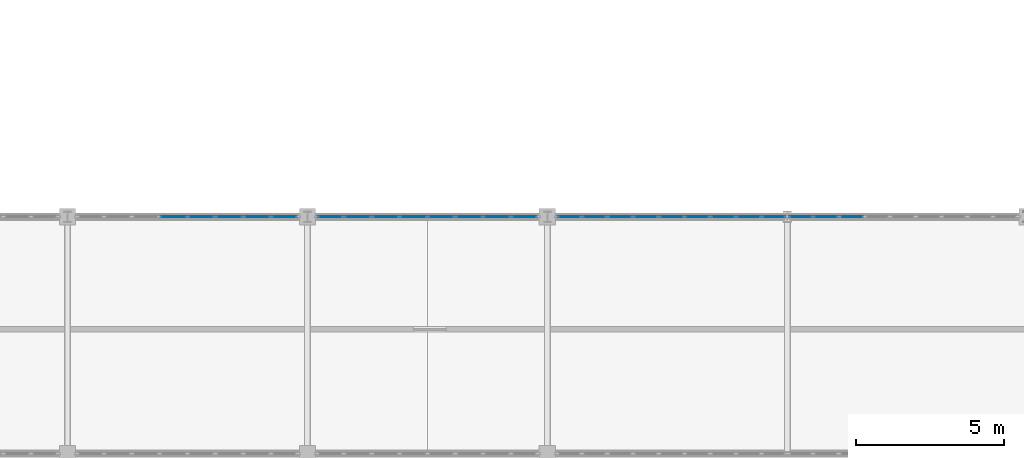
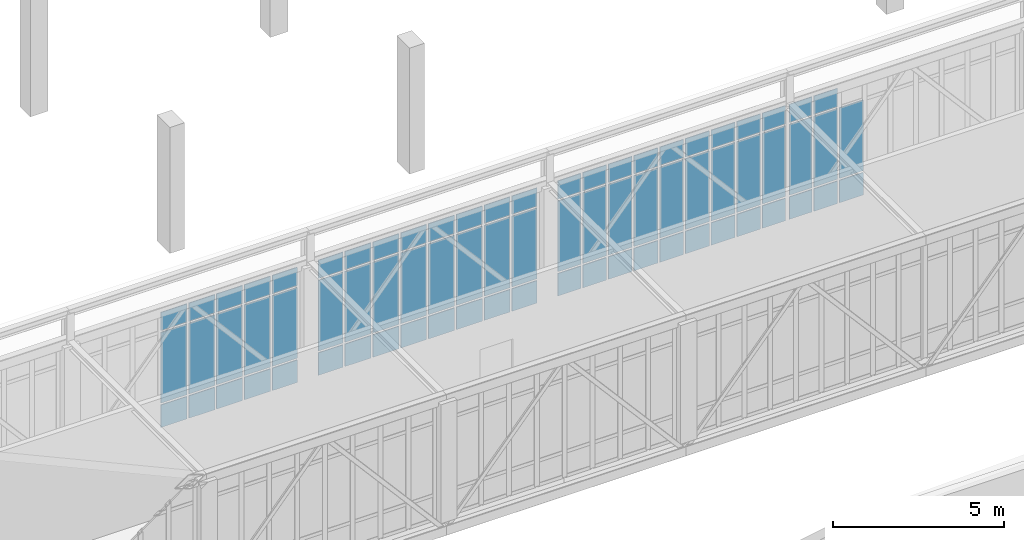
# One storey, part 42 of 67: 74 plates, 4 elements without a shape of their own.
"""IFC4 building model written with IfcOpenShell, lengths in metres."""

from ifc_helpers import new_model, si_unit, direction, frame, origin, origin_2d, place, context, subcontext, project, spatial, rectangle, extrude, material, layer, layer_set, type_object, element, aggregate, save


model = new_model("IFC4")

# Units and contexts
model_context = context("Model", 3, precision=1e-05, world=origin(), true_north=direction((0.0, 1.0)))
body_context = subcontext(model_context, "Body", "Model", "MODEL_VIEW")
ifc_project = project(units=[si_unit("LENGTHUNIT", "METRE"), si_unit("AREAUNIT", "SQUARE_METRE"), si_unit("VOLUMEUNIT", "CUBIC_METRE"), si_unit("PLANEANGLEUNIT", "RADIAN"), si_unit("MASSUNIT", "GRAM", prefix="KILO")], contexts=[model_context])

# Site, building, storey
site_placement = place(None, origin())
site = spatial("IfcSite", under=ifc_project, at=site_placement, CompositionType="ELEMENT")
building_placement = place(site_placement, origin())
building = spatial("IfcBuilding", under=site, at=building_placement, Name="Tarnveldt Square Police Headquarters", CompositionType="ELEMENT")
storey_placement = place(building_placement, frame((0.0, 0.0, 10.199951171875)))
storey = spatial("IfcBuildingStorey", under=building, at=storey_placement, Name="L02", CompositionType="ELEMENT", Elevation=10.199951171875)

# Curtain wall, plates
ifc_material = material(Name="Triple-glazed low-e laminated vision glass", Category="glass")
curtain_wall_type_1 = type_object("IfcCurtainWallType", Name="CW-SB-752x424", PredefinedType="USERDEFINED", material=ifc_material)
curtain_wall_1_placement = place(storey_placement, origin())
curtain_wall_1 = element("IfcCurtainWall", 1, at=curtain_wall_1_placement, inside=storey, type_object=curtain_wall_type_1, Name="L02 Curtain Wall CW-L02-147", ObjectType="GLAZED CURTAIN WALL", PredefinedType="USERDEFINED")
ifc_layer = layer(ifc_material, 0.028076171875)
ifc_layer_set = layer_set([ifc_layer], Name="Triple-glazed low-e laminated vision glass")
plate_type = type_object("IfcPlateType", Name="CWP-VIS-28", PredefinedType="CURTAIN_PANEL", material=ifc_layer_set)
plate_1_placement = place(storey_placement, frame((68.3798828125, 64.0, 0.06494140625), z_axis=(0.0, 0.0, 1.0), x_axis=(1.0, 0.0, 0.0)))
plate_1 = element("IfcPlate", 2, at=plate_1_placement, type_object=plate_type, Name="CW-SB86 panel 4.1", PredefinedType="CURTAIN_PANEL", context=body_context, shape_type="SweptSolid", body=[
    extrude(rectangle(XDim=0.875, YDim=0.028076171875, at=origin_2d()), origin(), (0.0, 0.0, 1.0), 0.802490234375),
])
plate_2_placement = place(storey_placement, frame((68.3798828125, 64.0, 0.9326171875), z_axis=(0.0, 0.0, 1.0), x_axis=(1.0, 0.0, 0.0)))
plate_2 = element("IfcPlate", 3, at=plate_2_placement, type_object=plate_type, Name="CW-SB86 panel 4.2", PredefinedType="CURTAIN_PANEL", context=body_context, shape_type="SweptSolid", body=[
    extrude(rectangle(XDim=0.875, YDim=0.028076171875, at=origin_2d()), origin(), (0.0, 0.0, 1.0), 2.52490234375),
])
plate_3_placement = place(storey_placement, frame((68.3798828125, 64.0, 3.5224609375), z_axis=(0.0, 0.0, 1.0), x_axis=(1.0, 0.0, 0.0)))
plate_3 = element("IfcPlate", 4, at=plate_3_placement, type_object=plate_type, Name="CW-SB86 panel 4.3", PredefinedType="CURTAIN_PANEL", context=body_context, shape_type="SweptSolid", body=[
    extrude(rectangle(XDim=0.875, YDim=0.028076171875, at=origin_2d()), origin(), (0.0, 0.0, 1.0), 0.652587890625),
])
plate_4_placement = place(storey_placement, frame((69.320068359375, 64.0, 0.06494140625), z_axis=(0.0, 0.0, 1.0), x_axis=(1.0, 0.0, 0.0)))
plate_4 = element("IfcPlate", 5, at=plate_4_placement, type_object=plate_type, Name="CW-SB86 panel 5.1", PredefinedType="CURTAIN_PANEL", context=body_context, shape_type="SweptSolid", body=[
    extrude(rectangle(XDim=0.875, YDim=0.028076171875, at=origin_2d()), origin(), (0.0, 0.0, 1.0), 0.802490234375),
])
plate_5_placement = place(storey_placement, frame((69.320068359375, 64.0, 0.9326171875), z_axis=(0.0, 0.0, 1.0), x_axis=(1.0, 0.0, 0.0)))
plate_5 = element("IfcPlate", 6, at=plate_5_placement, type_object=plate_type, Name="CW-SB86 panel 5.2", PredefinedType="CURTAIN_PANEL", context=body_context, shape_type="SweptSolid", body=[
    extrude(rectangle(XDim=0.875, YDim=0.028076171875, at=origin_2d()), origin(), (0.0, 0.0, 1.0), 2.52490234375),
])
plate_6_placement = place(storey_placement, frame((69.320068359375, 64.0, 3.5224609375), z_axis=(0.0, 0.0, 1.0), x_axis=(1.0, 0.0, 0.0)))
plate_6 = element("IfcPlate", 7, at=plate_6_placement, type_object=plate_type, Name="CW-SB86 panel 5.3", PredefinedType="CURTAIN_PANEL", context=body_context, shape_type="SweptSolid", body=[
    extrude(rectangle(XDim=0.875, YDim=0.028076171875, at=origin_2d()), origin(), (0.0, 0.0, 1.0), 0.652587890625),
])
plate_7_placement = place(storey_placement, frame((70.260009765625, 64.0, 0.06494140625), z_axis=(0.0, 0.0, 1.0), x_axis=(1.0, 0.0, 0.0)))
plate_7 = element("IfcPlate", 8, at=plate_7_placement, type_object=plate_type, Name="CW-SB86 panel 6.1", PredefinedType="CURTAIN_PANEL", context=body_context, shape_type="SweptSolid", body=[
    extrude(rectangle(XDim=0.875, YDim=0.028076171875, at=origin_2d()), origin(), (0.0, 0.0, 1.0), 0.802490234375),
])
plate_8_placement = place(storey_placement, frame((70.260009765625, 64.0, 0.9326171875), z_axis=(0.0, 0.0, 1.0), x_axis=(1.0, 0.0, 0.0)))
plate_8 = element("IfcPlate", 9, at=plate_8_placement, type_object=plate_type, Name="CW-SB86 panel 6.2", PredefinedType="CURTAIN_PANEL", context=body_context, shape_type="SweptSolid", body=[
    extrude(rectangle(XDim=0.875, YDim=0.028076171875, at=origin_2d()), origin(), (0.0, 0.0, 1.0), 2.52490234375),
])
plate_9_placement = place(storey_placement, frame((70.260009765625, 64.0, 3.5224609375), z_axis=(0.0, 0.0, 1.0), x_axis=(1.0, 0.0, 0.0)))
plate_9 = element("IfcPlate", 10, at=plate_9_placement, type_object=plate_type, Name="CW-SB86 panel 6.3", PredefinedType="CURTAIN_PANEL", context=body_context, shape_type="SweptSolid", body=[
    extrude(rectangle(XDim=0.875, YDim=0.028076171875, at=origin_2d()), origin(), (0.0, 0.0, 1.0), 0.652587890625),
])
plate_10_placement = place(storey_placement, frame((71.199951171875, 64.0, 0.06494140625), z_axis=(0.0, 0.0, 1.0), x_axis=(1.0, 0.0, 0.0)))
plate_10 = element("IfcPlate", 11, at=plate_10_placement, type_object=plate_type, Name="CW-SB86 panel 7.1", PredefinedType="CURTAIN_PANEL", context=body_context, shape_type="SweptSolid", body=[
    extrude(rectangle(XDim=0.875, YDim=0.028076171875, at=origin_2d()), origin(), (0.0, 0.0, 1.0), 0.802490234375),
])
plate_11_placement = place(storey_placement, frame((71.199951171875, 64.0, 0.9326171875), z_axis=(0.0, 0.0, 1.0), x_axis=(1.0, 0.0, 0.0)))
plate_11 = element("IfcPlate", 12, at=plate_11_placement, type_object=plate_type, Name="CW-SB86 panel 7.2", PredefinedType="CURTAIN_PANEL", context=body_context, shape_type="SweptSolid", body=[
    extrude(rectangle(XDim=0.875, YDim=0.028076171875, at=origin_2d()), origin(), (0.0, 0.0, 1.0), 2.52490234375),
])
plate_12_placement = place(storey_placement, frame((71.199951171875, 64.0, 3.5224609375), z_axis=(0.0, 0.0, 1.0), x_axis=(1.0, 0.0, 0.0)))
plate_12 = element("IfcPlate", 13, at=plate_12_placement, type_object=plate_type, Name="CW-SB86 panel 7.3", PredefinedType="CURTAIN_PANEL", context=body_context, shape_type="SweptSolid", body=[
    extrude(rectangle(XDim=0.875, YDim=0.028076171875, at=origin_2d()), origin(), (0.0, 0.0, 1.0), 0.652587890625),
])
plate_13_placement = place(storey_placement, frame((72.123779296875, 64.0, 0.06494140625), z_axis=(0.0, 0.0, 1.0), x_axis=(1.0, 0.0, 0.0)))
plate_13 = element("IfcPlate", 14, at=plate_13_placement, type_object=plate_type, Name="CW-SB86 panel 8.1", PredefinedType="CURTAIN_PANEL", context=body_context, shape_type="SweptSolid", body=[
    extrude(rectangle(XDim=0.842529296875, YDim=0.028076171875, at=origin_2d()), origin(), (0.0, 0.0, 1.0), 0.802490234375),
])
plate_14_placement = place(storey_placement, frame((72.123779296875, 64.0, 0.9326171875), z_axis=(0.0, 0.0, 1.0), x_axis=(1.0, 0.0, 0.0)))
plate_14 = element("IfcPlate", 15, at=plate_14_placement, type_object=plate_type, Name="CW-SB86 panel 8.2", PredefinedType="CURTAIN_PANEL", context=body_context, shape_type="SweptSolid", body=[
    extrude(rectangle(XDim=0.842529296875, YDim=0.028076171875, at=origin_2d()), origin(), (0.0, 0.0, 1.0), 2.52490234375),
])
plate_15_placement = place(storey_placement, frame((72.123779296875, 64.0, 3.5224609375), z_axis=(0.0, 0.0, 1.0), x_axis=(1.0, 0.0, 0.0)))
plate_15 = element("IfcPlate", 16, at=plate_15_placement, type_object=plate_type, Name="CW-SB86 panel 8.3", PredefinedType="CURTAIN_PANEL", context=body_context, shape_type="SweptSolid", body=[
    extrude(rectangle(XDim=0.842529296875, YDim=0.028076171875, at=origin_2d()), origin(), (0.0, 0.0, 1.0), 0.652587890625),
])
aggregate(curtain_wall_1, [plate_1, plate_2, plate_3, plate_4, plate_5, plate_6, plate_7, plate_8, plate_9, plate_10, plate_11, plate_12, plate_13, plate_14, plate_15])

curtain_wall_2_placement = place(storey_placement, origin())
curtain_wall_2 = element("IfcCurtainWall", 17, at=curtain_wall_2_placement, inside=storey, type_object=curtain_wall_type_1, Name="L02 Curtain Wall CW-L02-148", ObjectType="GLAZED CURTAIN WALL", PredefinedType="USERDEFINED")
plate_16_placement = place(storey_placement, frame((73.67626953125, 64.0, 0.06494140625), z_axis=(0.0, 0.0, 1.0), x_axis=(1.0, 0.0, 0.0)))
plate_16 = element("IfcPlate", 18, at=plate_16_placement, type_object=plate_type, Name="CW-SB86 panel 1.1", PredefinedType="CURTAIN_PANEL", context=body_context, shape_type="SweptSolid", body=[
    extrude(rectangle(XDim=0.842529296875, YDim=0.028076171875, at=origin_2d()), origin(), (0.0, 0.0, 1.0), 0.802490234375),
])
plate_17_placement = place(storey_placement, frame((73.67626953125, 64.0, 0.9326171875), z_axis=(0.0, 0.0, 1.0), x_axis=(1.0, 0.0, 0.0)))
plate_17 = element("IfcPlate", 19, at=plate_17_placement, type_object=plate_type, Name="CW-SB86 panel 1.2", PredefinedType="CURTAIN_PANEL", context=body_context, shape_type="SweptSolid", body=[
    extrude(rectangle(XDim=0.842529296875, YDim=0.028076171875, at=origin_2d()), origin(), (0.0, 0.0, 1.0), 2.52490234375),
])
plate_18_placement = place(storey_placement, frame((73.67626953125, 64.0, 3.5224609375), z_axis=(0.0, 0.0, 1.0), x_axis=(1.0, 0.0, 0.0)))
plate_18 = element("IfcPlate", 20, at=plate_18_placement, type_object=plate_type, Name="CW-SB86 panel 1.3", PredefinedType="CURTAIN_PANEL", context=body_context, shape_type="SweptSolid", body=[
    extrude(rectangle(XDim=0.842529296875, YDim=0.028076171875, at=origin_2d()), origin(), (0.0, 0.0, 1.0), 0.652587890625),
])
plate_19_placement = place(storey_placement, frame((74.60009765625, 64.0, 0.06494140625), z_axis=(0.0, 0.0, 1.0), x_axis=(1.0, 0.0, 0.0)))
plate_19 = element("IfcPlate", 21, at=plate_19_placement, type_object=plate_type, Name="CW-SB86 panel 2.1", PredefinedType="CURTAIN_PANEL", context=body_context, shape_type="SweptSolid", body=[
    extrude(rectangle(XDim=0.875, YDim=0.028076171875, at=origin_2d()), origin(), (0.0, 0.0, 1.0), 0.802490234375),
])
plate_20_placement = place(storey_placement, frame((74.60009765625, 64.0, 0.9326171875), z_axis=(0.0, 0.0, 1.0), x_axis=(1.0, 0.0, 0.0)))
plate_20 = element("IfcPlate", 22, at=plate_20_placement, type_object=plate_type, Name="CW-SB86 panel 2.2", PredefinedType="CURTAIN_PANEL", context=body_context, shape_type="SweptSolid", body=[
    extrude(rectangle(XDim=0.875, YDim=0.028076171875, at=origin_2d()), origin(), (0.0, 0.0, 1.0), 2.52490234375),
])
plate_21_placement = place(storey_placement, frame((74.60009765625, 64.0, 3.5224609375), z_axis=(0.0, 0.0, 1.0), x_axis=(1.0, 0.0, 0.0)))
plate_21 = element("IfcPlate", 23, at=plate_21_placement, type_object=plate_type, Name="CW-SB86 panel 2.3", PredefinedType="CURTAIN_PANEL", context=body_context, shape_type="SweptSolid", body=[
    extrude(rectangle(XDim=0.875, YDim=0.028076171875, at=origin_2d()), origin(), (0.0, 0.0, 1.0), 0.652587890625),
])
plate_22_placement = place(storey_placement, frame((75.5400390625, 64.0, 0.06494140625), z_axis=(0.0, 0.0, 1.0), x_axis=(1.0, 0.0, 0.0)))
plate_22 = element("IfcPlate", 24, at=plate_22_placement, type_object=plate_type, Name="CW-SB86 panel 3.1", PredefinedType="CURTAIN_PANEL", context=body_context, shape_type="SweptSolid", body=[
    extrude(rectangle(XDim=0.875, YDim=0.028076171875, at=origin_2d()), origin(), (0.0, 0.0, 1.0), 0.802490234375),
])
plate_23_placement = place(storey_placement, frame((75.5400390625, 64.0, 0.9326171875), z_axis=(0.0, 0.0, 1.0), x_axis=(1.0, 0.0, 0.0)))
plate_23 = element("IfcPlate", 25, at=plate_23_placement, type_object=plate_type, Name="CW-SB86 panel 3.2", PredefinedType="CURTAIN_PANEL", context=body_context, shape_type="SweptSolid", body=[
    extrude(rectangle(XDim=0.875, YDim=0.028076171875, at=origin_2d()), origin(), (0.0, 0.0, 1.0), 2.52490234375),
])
plate_24_placement = place(storey_placement, frame((75.5400390625, 64.0, 3.5224609375), z_axis=(0.0, 0.0, 1.0), x_axis=(1.0, 0.0, 0.0)))
plate_24 = element("IfcPlate", 26, at=plate_24_placement, type_object=plate_type, Name="CW-SB86 panel 3.3", PredefinedType="CURTAIN_PANEL", context=body_context, shape_type="SweptSolid", body=[
    extrude(rectangle(XDim=0.875, YDim=0.028076171875, at=origin_2d()), origin(), (0.0, 0.0, 1.0), 0.652587890625),
])
plate_25_placement = place(storey_placement, frame((76.47998046875, 64.0, 0.06494140625), z_axis=(0.0, 0.0, 1.0), x_axis=(1.0, 0.0, 0.0)))
plate_25 = element("IfcPlate", 27, at=plate_25_placement, type_object=plate_type, Name="CW-SB86 panel 4.1", PredefinedType="CURTAIN_PANEL", context=body_context, shape_type="SweptSolid", body=[
    extrude(rectangle(XDim=0.875, YDim=0.028076171875, at=origin_2d()), origin(), (0.0, 0.0, 1.0), 0.802490234375),
])
plate_26_placement = place(storey_placement, frame((76.47998046875, 64.0, 0.9326171875), z_axis=(0.0, 0.0, 1.0), x_axis=(1.0, 0.0, 0.0)))
plate_26 = element("IfcPlate", 28, at=plate_26_placement, type_object=plate_type, Name="CW-SB86 panel 4.2", PredefinedType="CURTAIN_PANEL", context=body_context, shape_type="SweptSolid", body=[
    extrude(rectangle(XDim=0.875, YDim=0.028076171875, at=origin_2d()), origin(), (0.0, 0.0, 1.0), 2.52490234375),
])
plate_27_placement = place(storey_placement, frame((76.47998046875, 64.0, 3.5224609375), z_axis=(0.0, 0.0, 1.0), x_axis=(1.0, 0.0, 0.0)))
plate_27 = element("IfcPlate", 29, at=plate_27_placement, type_object=plate_type, Name="CW-SB86 panel 4.3", PredefinedType="CURTAIN_PANEL", context=body_context, shape_type="SweptSolid", body=[
    extrude(rectangle(XDim=0.875, YDim=0.028076171875, at=origin_2d()), origin(), (0.0, 0.0, 1.0), 0.652587890625),
])
plate_28_placement = place(storey_placement, frame((77.419921875, 64.0, 0.06494140625), z_axis=(0.0, 0.0, 1.0), x_axis=(1.0, 0.0, 0.0)))
plate_28 = element("IfcPlate", 30, at=plate_28_placement, type_object=plate_type, Name="CW-SB86 panel 5.1", PredefinedType="CURTAIN_PANEL", context=body_context, shape_type="SweptSolid", body=[
    extrude(rectangle(XDim=0.875, YDim=0.028076171875, at=origin_2d()), origin(), (0.0, 0.0, 1.0), 0.802490234375),
])
plate_29_placement = place(storey_placement, frame((77.419921875, 64.0, 0.9326171875), z_axis=(0.0, 0.0, 1.0), x_axis=(1.0, 0.0, 0.0)))
plate_29 = element("IfcPlate", 31, at=plate_29_placement, type_object=plate_type, Name="CW-SB86 panel 5.2", PredefinedType="CURTAIN_PANEL", context=body_context, shape_type="SweptSolid", body=[
    extrude(rectangle(XDim=0.875, YDim=0.028076171875, at=origin_2d()), origin(), (0.0, 0.0, 1.0), 2.52490234375),
])
plate_30_placement = place(storey_placement, frame((77.419921875, 64.0, 3.5224609375), z_axis=(0.0, 0.0, 1.0), x_axis=(1.0, 0.0, 0.0)))
plate_30 = element("IfcPlate", 32, at=plate_30_placement, type_object=plate_type, Name="CW-SB86 panel 5.3", PredefinedType="CURTAIN_PANEL", context=body_context, shape_type="SweptSolid", body=[
    extrude(rectangle(XDim=0.875, YDim=0.028076171875, at=origin_2d()), origin(), (0.0, 0.0, 1.0), 0.652587890625),
])
plate_31_placement = place(storey_placement, frame((78.360107421875, 64.0, 0.06494140625), z_axis=(0.0, 0.0, 1.0), x_axis=(1.0, 0.0, 0.0)))
plate_31 = element("IfcPlate", 33, at=plate_31_placement, type_object=plate_type, Name="CW-SB86 panel 6.1", PredefinedType="CURTAIN_PANEL", context=body_context, shape_type="SweptSolid", body=[
    extrude(rectangle(XDim=0.875, YDim=0.028076171875, at=origin_2d()), origin(), (0.0, 0.0, 1.0), 0.802490234375),
])
plate_32_placement = place(storey_placement, frame((78.360107421875, 64.0, 0.9326171875), z_axis=(0.0, 0.0, 1.0), x_axis=(1.0, 0.0, 0.0)))
plate_32 = element("IfcPlate", 34, at=plate_32_placement, type_object=plate_type, Name="CW-SB86 panel 6.2", PredefinedType="CURTAIN_PANEL", context=body_context, shape_type="SweptSolid", body=[
    extrude(rectangle(XDim=0.875, YDim=0.028076171875, at=origin_2d()), origin(), (0.0, 0.0, 1.0), 2.52490234375),
])
plate_33_placement = place(storey_placement, frame((78.360107421875, 64.0, 3.5224609375), z_axis=(0.0, 0.0, 1.0), x_axis=(1.0, 0.0, 0.0)))
plate_33 = element("IfcPlate", 35, at=plate_33_placement, type_object=plate_type, Name="CW-SB86 panel 6.3", PredefinedType="CURTAIN_PANEL", context=body_context, shape_type="SweptSolid", body=[
    extrude(rectangle(XDim=0.875, YDim=0.028076171875, at=origin_2d()), origin(), (0.0, 0.0, 1.0), 0.652587890625),
])
plate_34_placement = place(storey_placement, frame((79.300048828125, 64.0, 0.06494140625), z_axis=(0.0, 0.0, 1.0), x_axis=(1.0, 0.0, 0.0)))
plate_34 = element("IfcPlate", 36, at=plate_34_placement, type_object=plate_type, Name="CW-SB86 panel 7.1", PredefinedType="CURTAIN_PANEL", context=body_context, shape_type="SweptSolid", body=[
    extrude(rectangle(XDim=0.875, YDim=0.028076171875, at=origin_2d()), origin(), (0.0, 0.0, 1.0), 0.802490234375),
])
plate_35_placement = place(storey_placement, frame((79.300048828125, 64.0, 0.9326171875), z_axis=(0.0, 0.0, 1.0), x_axis=(1.0, 0.0, 0.0)))
plate_35 = element("IfcPlate", 37, at=plate_35_placement, type_object=plate_type, Name="CW-SB86 panel 7.2", PredefinedType="CURTAIN_PANEL", context=body_context, shape_type="SweptSolid", body=[
    extrude(rectangle(XDim=0.875, YDim=0.028076171875, at=origin_2d()), origin(), (0.0, 0.0, 1.0), 2.52490234375),
])
plate_36_placement = place(storey_placement, frame((79.300048828125, 64.0, 3.5224609375), z_axis=(0.0, 0.0, 1.0), x_axis=(1.0, 0.0, 0.0)))
plate_36 = element("IfcPlate", 38, at=plate_36_placement, type_object=plate_type, Name="CW-SB86 panel 7.3", PredefinedType="CURTAIN_PANEL", context=body_context, shape_type="SweptSolid", body=[
    extrude(rectangle(XDim=0.875, YDim=0.028076171875, at=origin_2d()), origin(), (0.0, 0.0, 1.0), 0.652587890625),
])
plate_37_placement = place(storey_placement, frame((80.2236328125, 64.0, 0.06494140625), z_axis=(0.0, 0.0, 1.0), x_axis=(1.0, 0.0, 0.0)))
plate_37 = element("IfcPlate", 39, at=plate_37_placement, type_object=plate_type, Name="CW-SB86 panel 8.1", PredefinedType="CURTAIN_PANEL", context=body_context, shape_type="SweptSolid", body=[
    extrude(rectangle(XDim=0.842529296875, YDim=0.028076171875, at=origin_2d()), origin(), (0.0, 0.0, 1.0), 0.802490234375),
])
plate_38_placement = place(storey_placement, frame((80.2236328125, 64.0, 0.9326171875), z_axis=(0.0, 0.0, 1.0), x_axis=(1.0, 0.0, 0.0)))
plate_38 = element("IfcPlate", 40, at=plate_38_placement, type_object=plate_type, Name="CW-SB86 panel 8.2", PredefinedType="CURTAIN_PANEL", context=body_context, shape_type="SweptSolid", body=[
    extrude(rectangle(XDim=0.842529296875, YDim=0.028076171875, at=origin_2d()), origin(), (0.0, 0.0, 1.0), 2.52490234375),
])
plate_39_placement = place(storey_placement, frame((80.2236328125, 64.0, 3.5224609375), z_axis=(0.0, 0.0, 1.0), x_axis=(1.0, 0.0, 0.0)))
plate_39 = element("IfcPlate", 41, at=plate_39_placement, type_object=plate_type, Name="CW-SB86 panel 8.3", PredefinedType="CURTAIN_PANEL", context=body_context, shape_type="SweptSolid", body=[
    extrude(rectangle(XDim=0.842529296875, YDim=0.028076171875, at=origin_2d()), origin(), (0.0, 0.0, 1.0), 0.652587890625),
])
aggregate(curtain_wall_2, [plate_16, plate_17, plate_18, plate_19, plate_20, plate_21, plate_22, plate_23, plate_24, plate_25, plate_26, plate_27, plate_28, plate_29, plate_30, plate_31, plate_32, plate_33, plate_34, plate_35, plate_36, plate_37, plate_38, plate_39])

curtain_wall_type_2 = type_object("IfcCurtainWallType", Name="CW-SB-781x424", PredefinedType="USERDEFINED", material=ifc_material)
curtain_wall_3_placement = place(storey_placement, origin())
curtain_wall_3 = element("IfcCurtainWall", 42, at=curtain_wall_3_placement, inside=storey, type_object=curtain_wall_type_2, Name="L02 Curtain Wall CW-L02-149", ObjectType="GLAZED CURTAIN WALL", PredefinedType="USERDEFINED")
plate_40_placement = place(storey_placement, frame((81.740234375, 64.0, 0.06494140625), z_axis=(0.0, 0.0, 1.0), x_axis=(1.0, 0.0, 0.0)))
plate_40 = element("IfcPlate", 43, at=plate_40_placement, type_object=plate_type, Name="CW-SB87 panel 1.1", PredefinedType="CURTAIN_PANEL", context=body_context, shape_type="SweptSolid", body=[
    extrude(rectangle(XDim=0.770263671875, YDim=0.028076171875, at=origin_2d()), origin(), (0.0, 0.0, 1.0), 0.802490234375),
])
plate_41_placement = place(storey_placement, frame((81.740234375, 64.0, 0.9326171875), z_axis=(0.0, 0.0, 1.0), x_axis=(1.0, 0.0, 0.0)))
plate_41 = element("IfcPlate", 44, at=plate_41_placement, type_object=plate_type, Name="CW-SB87 panel 1.2", PredefinedType="CURTAIN_PANEL", context=body_context, shape_type="SweptSolid", body=[
    extrude(rectangle(XDim=0.770263671875, YDim=0.028076171875, at=origin_2d()), origin(), (0.0, 0.0, 1.0), 2.52490234375),
])
plate_42_placement = place(storey_placement, frame((81.740234375, 64.0, 3.5224609375), z_axis=(0.0, 0.0, 1.0), x_axis=(1.0, 0.0, 0.0)))
plate_42 = element("IfcPlate", 45, at=plate_42_placement, type_object=plate_type, Name="CW-SB87 panel 1.3", PredefinedType="CURTAIN_PANEL", context=body_context, shape_type="SweptSolid", body=[
    extrude(rectangle(XDim=0.770263671875, YDim=0.028076171875, at=origin_2d()), origin(), (0.0, 0.0, 1.0), 0.652587890625),
])
plate_43_placement = place(storey_placement, frame((82.591552734375, 64.0, 0.06494140625), z_axis=(0.0, 0.0, 1.0), x_axis=(1.0, 0.0, 0.0)))
plate_43 = element("IfcPlate", 46, at=plate_43_placement, type_object=plate_type, Name="CW-SB87 panel 2.1", PredefinedType="CURTAIN_PANEL", context=body_context, shape_type="SweptSolid", body=[
    extrude(rectangle(XDim=0.802734375, YDim=0.028076171875, at=origin_2d()), origin(), (0.0, 0.0, 1.0), 0.802490234375),
])
plate_44_placement = place(storey_placement, frame((82.591552734375, 64.0, 0.9326171875), z_axis=(0.0, 0.0, 1.0), x_axis=(1.0, 0.0, 0.0)))
plate_44 = element("IfcPlate", 47, at=plate_44_placement, type_object=plate_type, Name="CW-SB87 panel 2.2", PredefinedType="CURTAIN_PANEL", context=body_context, shape_type="SweptSolid", body=[
    extrude(rectangle(XDim=0.802734375, YDim=0.028076171875, at=origin_2d()), origin(), (0.0, 0.0, 1.0), 2.52490234375),
])
plate_45_placement = place(storey_placement, frame((82.591552734375, 64.0, 3.5224609375), z_axis=(0.0, 0.0, 1.0), x_axis=(1.0, 0.0, 0.0)))
plate_45 = element("IfcPlate", 48, at=plate_45_placement, type_object=plate_type, Name="CW-SB87 panel 2.3", PredefinedType="CURTAIN_PANEL", context=body_context, shape_type="SweptSolid", body=[
    extrude(rectangle(XDim=0.802734375, YDim=0.028076171875, at=origin_2d()), origin(), (0.0, 0.0, 1.0), 0.652587890625),
])
plate_46_placement = place(storey_placement, frame((83.45947265625, 64.0, 0.06494140625), z_axis=(0.0, 0.0, 1.0), x_axis=(1.0, 0.0, 0.0)))
plate_46 = element("IfcPlate", 49, at=plate_46_placement, type_object=plate_type, Name="CW-SB87 panel 3.1", PredefinedType="CURTAIN_PANEL", context=body_context, shape_type="SweptSolid", body=[
    extrude(rectangle(XDim=0.802734375, YDim=0.028076171875, at=origin_2d()), origin(), (0.0, 0.0, 1.0), 0.802490234375),
])
plate_47_placement = place(storey_placement, frame((83.45947265625, 64.0, 0.9326171875), z_axis=(0.0, 0.0, 1.0), x_axis=(1.0, 0.0, 0.0)))
plate_47 = element("IfcPlate", 50, at=plate_47_placement, type_object=plate_type, Name="CW-SB87 panel 3.2", PredefinedType="CURTAIN_PANEL", context=body_context, shape_type="SweptSolid", body=[
    extrude(rectangle(XDim=0.802734375, YDim=0.028076171875, at=origin_2d()), origin(), (0.0, 0.0, 1.0), 2.52490234375),
])
plate_48_placement = place(storey_placement, frame((83.45947265625, 64.0, 3.5224609375), z_axis=(0.0, 0.0, 1.0), x_axis=(1.0, 0.0, 0.0)))
plate_48 = element("IfcPlate", 51, at=plate_48_placement, type_object=plate_type, Name="CW-SB87 panel 3.3", PredefinedType="CURTAIN_PANEL", context=body_context, shape_type="SweptSolid", body=[
    extrude(rectangle(XDim=0.802734375, YDim=0.028076171875, at=origin_2d()), origin(), (0.0, 0.0, 1.0), 0.652587890625),
])
plate_49_placement = place(storey_placement, frame((84.3271484375, 64.0, 0.06494140625), z_axis=(0.0, 0.0, 1.0), x_axis=(1.0, 0.0, 0.0)))
plate_49 = element("IfcPlate", 52, at=plate_49_placement, type_object=plate_type, Name="CW-SB87 panel 4.1", PredefinedType="CURTAIN_PANEL", context=body_context, shape_type="SweptSolid", body=[
    extrude(rectangle(XDim=0.802734375, YDim=0.028076171875, at=origin_2d()), origin(), (0.0, 0.0, 1.0), 0.802490234375),
])
plate_50_placement = place(storey_placement, frame((84.3271484375, 64.0, 0.9326171875), z_axis=(0.0, 0.0, 1.0), x_axis=(1.0, 0.0, 0.0)))
plate_50 = element("IfcPlate", 53, at=plate_50_placement, type_object=plate_type, Name="CW-SB87 panel 4.2", PredefinedType="CURTAIN_PANEL", context=body_context, shape_type="SweptSolid", body=[
    extrude(rectangle(XDim=0.802734375, YDim=0.028076171875, at=origin_2d()), origin(), (0.0, 0.0, 1.0), 2.52490234375),
])
plate_51_placement = place(storey_placement, frame((84.3271484375, 64.0, 3.5224609375), z_axis=(0.0, 0.0, 1.0), x_axis=(1.0, 0.0, 0.0)))
plate_51 = element("IfcPlate", 54, at=plate_51_placement, type_object=plate_type, Name="CW-SB87 panel 4.3", PredefinedType="CURTAIN_PANEL", context=body_context, shape_type="SweptSolid", body=[
    extrude(rectangle(XDim=0.802734375, YDim=0.028076171875, at=origin_2d()), origin(), (0.0, 0.0, 1.0), 0.652587890625),
])
plate_52_placement = place(storey_placement, frame((85.195068359375, 64.0, 0.06494140625), z_axis=(0.0, 0.0, 1.0), x_axis=(1.0, 0.0, 0.0)))
plate_52 = element("IfcPlate", 55, at=plate_52_placement, type_object=plate_type, Name="CW-SB87 panel 5.1", PredefinedType="CURTAIN_PANEL", context=body_context, shape_type="SweptSolid", body=[
    extrude(rectangle(XDim=0.802734375, YDim=0.028076171875, at=origin_2d()), origin(), (0.0, 0.0, 1.0), 0.802490234375),
])
plate_53_placement = place(storey_placement, frame((85.195068359375, 64.0, 0.9326171875), z_axis=(0.0, 0.0, 1.0), x_axis=(1.0, 0.0, 0.0)))
plate_53 = element("IfcPlate", 56, at=plate_53_placement, type_object=plate_type, Name="CW-SB87 panel 5.2", PredefinedType="CURTAIN_PANEL", context=body_context, shape_type="SweptSolid", body=[
    extrude(rectangle(XDim=0.802734375, YDim=0.028076171875, at=origin_2d()), origin(), (0.0, 0.0, 1.0), 2.52490234375),
])
plate_54_placement = place(storey_placement, frame((85.195068359375, 64.0, 3.5224609375), z_axis=(0.0, 0.0, 1.0), x_axis=(1.0, 0.0, 0.0)))
plate_54 = element("IfcPlate", 57, at=plate_54_placement, type_object=plate_type, Name="CW-SB87 panel 5.3", PredefinedType="CURTAIN_PANEL", context=body_context, shape_type="SweptSolid", body=[
    extrude(rectangle(XDim=0.802734375, YDim=0.028076171875, at=origin_2d()), origin(), (0.0, 0.0, 1.0), 0.652587890625),
])
plate_55_placement = place(storey_placement, frame((86.062744140625, 64.0, 0.06494140625), z_axis=(0.0, 0.0, 1.0), x_axis=(1.0, 0.0, 0.0)))
plate_55 = element("IfcPlate", 58, at=plate_55_placement, type_object=plate_type, Name="CW-SB87 panel 6.1", PredefinedType="CURTAIN_PANEL", context=body_context, shape_type="SweptSolid", body=[
    extrude(rectangle(XDim=0.802734375, YDim=0.028076171875, at=origin_2d()), origin(), (0.0, 0.0, 1.0), 0.802490234375),
])
plate_56_placement = place(storey_placement, frame((86.062744140625, 64.0, 0.9326171875), z_axis=(0.0, 0.0, 1.0), x_axis=(1.0, 0.0, 0.0)))
plate_56 = element("IfcPlate", 59, at=plate_56_placement, type_object=plate_type, Name="CW-SB87 panel 6.2", PredefinedType="CURTAIN_PANEL", context=body_context, shape_type="SweptSolid", body=[
    extrude(rectangle(XDim=0.802734375, YDim=0.028076171875, at=origin_2d()), origin(), (0.0, 0.0, 1.0), 2.52490234375),
])
plate_57_placement = place(storey_placement, frame((86.062744140625, 64.0, 3.5224609375), z_axis=(0.0, 0.0, 1.0), x_axis=(1.0, 0.0, 0.0)))
plate_57 = element("IfcPlate", 60, at=plate_57_placement, type_object=plate_type, Name="CW-SB87 panel 6.3", PredefinedType="CURTAIN_PANEL", context=body_context, shape_type="SweptSolid", body=[
    extrude(rectangle(XDim=0.802734375, YDim=0.028076171875, at=origin_2d()), origin(), (0.0, 0.0, 1.0), 0.652587890625),
])
plate_58_placement = place(storey_placement, frame((86.9306640625, 64.0, 0.06494140625), z_axis=(0.0, 0.0, 1.0), x_axis=(1.0, 0.0, 0.0)))
plate_58 = element("IfcPlate", 61, at=plate_58_placement, type_object=plate_type, Name="CW-SB87 panel 7.1", PredefinedType="CURTAIN_PANEL", context=body_context, shape_type="SweptSolid", body=[
    extrude(rectangle(XDim=0.802734375, YDim=0.028076171875, at=origin_2d()), origin(), (0.0, 0.0, 1.0), 0.802490234375),
])
plate_59_placement = place(storey_placement, frame((86.9306640625, 64.0, 0.9326171875), z_axis=(0.0, 0.0, 1.0), x_axis=(1.0, 0.0, 0.0)))
plate_59 = element("IfcPlate", 62, at=plate_59_placement, type_object=plate_type, Name="CW-SB87 panel 7.2", PredefinedType="CURTAIN_PANEL", context=body_context, shape_type="SweptSolid", body=[
    extrude(rectangle(XDim=0.802734375, YDim=0.028076171875, at=origin_2d()), origin(), (0.0, 0.0, 1.0), 2.52490234375),
])
plate_60_placement = place(storey_placement, frame((86.9306640625, 64.0, 3.5224609375), z_axis=(0.0, 0.0, 1.0), x_axis=(1.0, 0.0, 0.0)))
plate_60 = element("IfcPlate", 63, at=plate_60_placement, type_object=plate_type, Name="CW-SB87 panel 7.3", PredefinedType="CURTAIN_PANEL", context=body_context, shape_type="SweptSolid", body=[
    extrude(rectangle(XDim=0.802734375, YDim=0.028076171875, at=origin_2d()), origin(), (0.0, 0.0, 1.0), 0.652587890625),
])
plate_61_placement = place(storey_placement, frame((87.79833984375, 64.0, 0.06494140625), z_axis=(0.0, 0.0, 1.0), x_axis=(1.0, 0.0, 0.0)))
plate_61 = element("IfcPlate", 64, at=plate_61_placement, type_object=plate_type, Name="CW-SB87 panel 8.1", PredefinedType="CURTAIN_PANEL", context=body_context, shape_type="SweptSolid", body=[
    extrude(rectangle(XDim=0.802734375, YDim=0.028076171875, at=origin_2d()), origin(), (0.0, 0.0, 1.0), 0.802490234375),
])
plate_62_placement = place(storey_placement, frame((87.79833984375, 64.0, 0.9326171875), z_axis=(0.0, 0.0, 1.0), x_axis=(1.0, 0.0, 0.0)))
plate_62 = element("IfcPlate", 65, at=plate_62_placement, type_object=plate_type, Name="CW-SB87 panel 8.2", PredefinedType="CURTAIN_PANEL", context=body_context, shape_type="SweptSolid", body=[
    extrude(rectangle(XDim=0.802734375, YDim=0.028076171875, at=origin_2d()), origin(), (0.0, 0.0, 1.0), 2.52490234375),
])
plate_63_placement = place(storey_placement, frame((87.79833984375, 64.0, 3.5224609375), z_axis=(0.0, 0.0, 1.0), x_axis=(1.0, 0.0, 0.0)))
plate_63 = element("IfcPlate", 66, at=plate_63_placement, type_object=plate_type, Name="CW-SB87 panel 8.3", PredefinedType="CURTAIN_PANEL", context=body_context, shape_type="SweptSolid", body=[
    extrude(rectangle(XDim=0.802734375, YDim=0.028076171875, at=origin_2d()), origin(), (0.0, 0.0, 1.0), 0.652587890625),
])
plate_64_placement = place(storey_placement, frame((88.64990234375, 64.0, 0.06494140625), z_axis=(0.0, 0.0, 1.0), x_axis=(1.0, 0.0, 0.0)))
plate_64 = element("IfcPlate", 67, at=plate_64_placement, type_object=plate_type, Name="CW-SB87 panel 9.1", PredefinedType="CURTAIN_PANEL", context=body_context, shape_type="SweptSolid", body=[
    extrude(rectangle(XDim=0.770263671875, YDim=0.028076171875, at=origin_2d()), origin(), (0.0, 0.0, 1.0), 0.802490234375),
])
plate_65_placement = place(storey_placement, frame((88.64990234375, 64.0, 0.9326171875), z_axis=(0.0, 0.0, 1.0), x_axis=(1.0, 0.0, 0.0)))
plate_65 = element("IfcPlate", 68, at=plate_65_placement, type_object=plate_type, Name="CW-SB87 panel 9.2", PredefinedType="CURTAIN_PANEL", context=body_context, shape_type="SweptSolid", body=[
    extrude(rectangle(XDim=0.770263671875, YDim=0.028076171875, at=origin_2d()), origin(), (0.0, 0.0, 1.0), 2.52490234375),
])
plate_66_placement = place(storey_placement, frame((88.64990234375, 64.0, 3.5224609375), z_axis=(0.0, 0.0, 1.0), x_axis=(1.0, 0.0, 0.0)))
plate_66 = element("IfcPlate", 69, at=plate_66_placement, type_object=plate_type, Name="CW-SB87 panel 9.3", PredefinedType="CURTAIN_PANEL", context=body_context, shape_type="SweptSolid", body=[
    extrude(rectangle(XDim=0.770263671875, YDim=0.028076171875, at=origin_2d()), origin(), (0.0, 0.0, 1.0), 0.652587890625),
])
aggregate(curtain_wall_3, [plate_40, plate_41, plate_42, plate_43, plate_44, plate_45, plate_46, plate_47, plate_48, plate_49, plate_50, plate_51, plate_52, plate_53, plate_54, plate_55, plate_56, plate_57, plate_58, plate_59, plate_60, plate_61, plate_62, plate_63, plate_64, plate_65, plate_66])

curtain_wall_4_placement = place(storey_placement, origin())
curtain_wall_4 = element("IfcCurtainWall", 70, at=curtain_wall_4_placement, inside=storey, type_object=curtain_wall_type_2, Name="L02 Curtain Wall CW-L02-150", ObjectType="GLAZED CURTAIN WALL", PredefinedType="USERDEFINED")
plate_67_placement = place(storey_placement, frame((89.550048828125, 64.0, 0.06494140625), z_axis=(0.0, 0.0, 1.0), x_axis=(1.0, 0.0, 0.0)))
plate_67 = element("IfcPlate", 71, at=plate_67_placement, type_object=plate_type, Name="CW-SB87 panel 1.1", PredefinedType="CURTAIN_PANEL", context=body_context, shape_type="SweptSolid", body=[
    extrude(rectangle(XDim=0.770263671875, YDim=0.028076171875, at=origin_2d()), origin(), (0.0, 0.0, 1.0), 0.802490234375),
])
plate_68_placement = place(storey_placement, frame((89.550048828125, 64.0, 0.9326171875), z_axis=(0.0, 0.0, 1.0), x_axis=(1.0, 0.0, 0.0)))
plate_68 = element("IfcPlate", 72, at=plate_68_placement, type_object=plate_type, Name="CW-SB87 panel 1.2", PredefinedType="CURTAIN_PANEL", context=body_context, shape_type="SweptSolid", body=[
    extrude(rectangle(XDim=0.770263671875, YDim=0.028076171875, at=origin_2d()), origin(), (0.0, 0.0, 1.0), 2.52490234375),
])
plate_69_placement = place(storey_placement, frame((89.550048828125, 64.0, 3.5224609375), z_axis=(0.0, 0.0, 1.0), x_axis=(1.0, 0.0, 0.0)))
plate_69 = element("IfcPlate", 73, at=plate_69_placement, type_object=plate_type, Name="CW-SB87 panel 1.3", PredefinedType="CURTAIN_PANEL", context=body_context, shape_type="SweptSolid", body=[
    extrude(rectangle(XDim=0.770263671875, YDim=0.028076171875, at=origin_2d()), origin(), (0.0, 0.0, 1.0), 0.652587890625),
])
plate_70_placement = place(storey_placement, frame((90.401611328125, 64.0, 0.06494140625), z_axis=(0.0, 0.0, 1.0), x_axis=(1.0, 0.0, 0.0)))
plate_70 = element("IfcPlate", 74, at=plate_70_placement, type_object=plate_type, Name="CW-SB87 panel 2.1", PredefinedType="CURTAIN_PANEL", context=body_context, shape_type="SweptSolid", body=[
    extrude(rectangle(XDim=0.802734375, YDim=0.028076171875, at=origin_2d()), origin(), (0.0, 0.0, 1.0), 0.802490234375),
])
plate_71_placement = place(storey_placement, frame((90.401611328125, 64.0, 0.9326171875), z_axis=(0.0, 0.0, 1.0), x_axis=(1.0, 0.0, 0.0)))
plate_71 = element("IfcPlate", 75, at=plate_71_placement, type_object=plate_type, Name="CW-SB87 panel 2.2", PredefinedType="CURTAIN_PANEL", context=body_context, shape_type="SweptSolid", body=[
    extrude(rectangle(XDim=0.802734375, YDim=0.028076171875, at=origin_2d()), origin(), (0.0, 0.0, 1.0), 2.52490234375),
])
plate_72_placement = place(storey_placement, frame((90.401611328125, 64.0, 3.5224609375), z_axis=(0.0, 0.0, 1.0), x_axis=(1.0, 0.0, 0.0)))
plate_72 = element("IfcPlate", 76, at=plate_72_placement, type_object=plate_type, Name="CW-SB87 panel 2.3", PredefinedType="CURTAIN_PANEL", context=body_context, shape_type="SweptSolid", body=[
    extrude(rectangle(XDim=0.802734375, YDim=0.028076171875, at=origin_2d()), origin(), (0.0, 0.0, 1.0), 0.652587890625),
])
plate_73_placement = place(storey_placement, frame((91.26953125, 64.0, 0.06494140625), z_axis=(0.0, 0.0, 1.0), x_axis=(1.0, 0.0, 0.0)))
plate_73 = element("IfcPlate", 77, at=plate_73_placement, type_object=plate_type, Name="CW-SB87 panel 3.1", PredefinedType="CURTAIN_PANEL", context=body_context, shape_type="SweptSolid", body=[
    extrude(rectangle(XDim=0.802734375, YDim=0.028076171875, at=origin_2d()), origin(), (0.0, 0.0, 1.0), 0.802490234375),
])
plate_74_placement = place(storey_placement, frame((91.26953125, 64.0, 0.9326171875), z_axis=(0.0, 0.0, 1.0), x_axis=(1.0, 0.0, 0.0)))
plate_74 = element("IfcPlate", 78, at=plate_74_placement, type_object=plate_type, Name="CW-SB87 panel 3.2", PredefinedType="CURTAIN_PANEL", context=body_context, shape_type="SweptSolid", body=[
    extrude(rectangle(XDim=0.802734375, YDim=0.028076171875, at=origin_2d()), origin(), (0.0, 0.0, 1.0), 2.52490234375),
])
aggregate(curtain_wall_4, [plate_67, plate_68, plate_69, plate_70, plate_71, plate_72, plate_73, plate_74])

save(model, "model.ifc")
